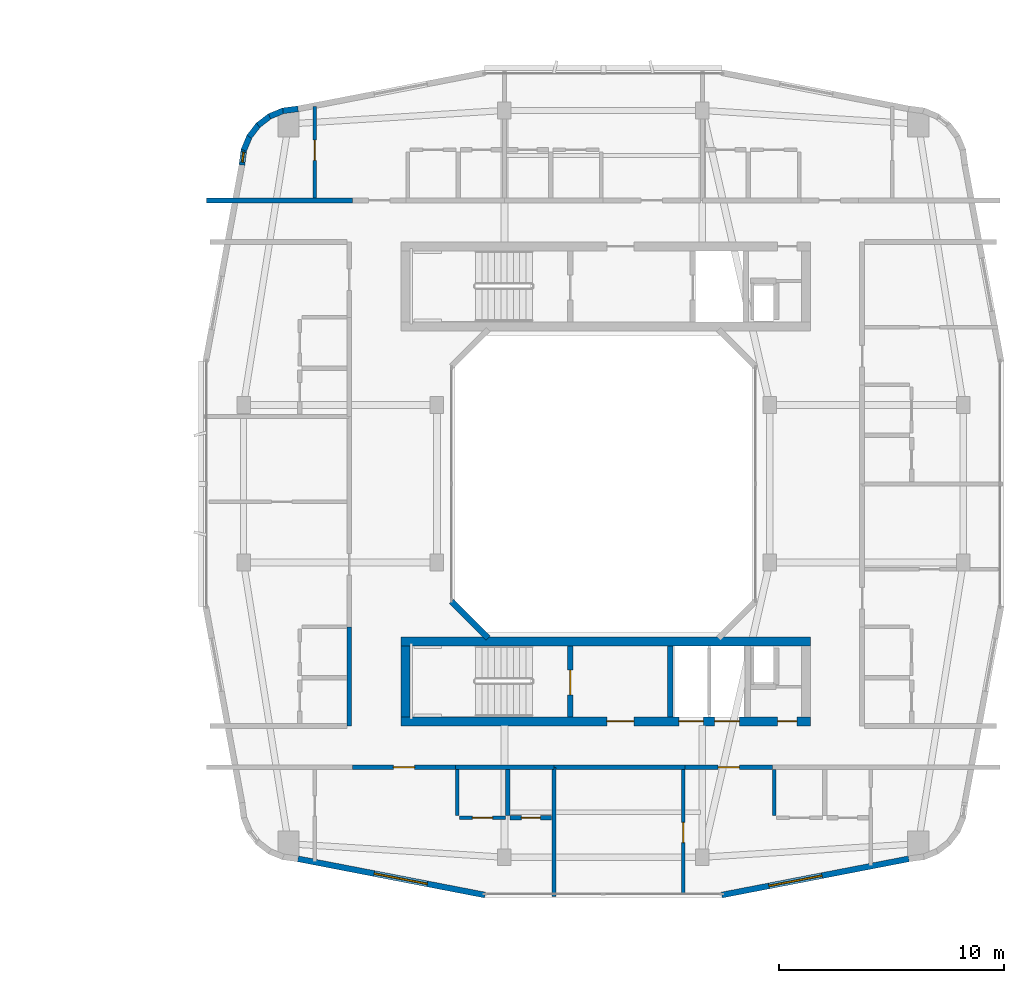
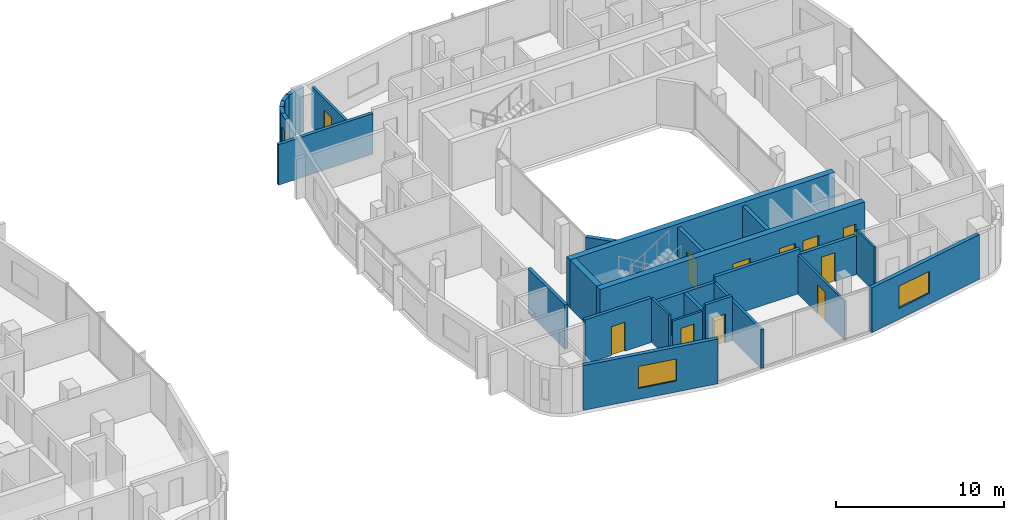
# One storey, part 17 of 26: 28 walls, 11 doors, 3 windows, 14 openings.
"""IFC4 building model written with IfcOpenShell, lengths in metres."""

from ifc_helpers import new_model, si_unit, derived_unit, direction, frame, frame_2d, origin, place, context, subcontext, project, spatial, rectangle, extrude, material, layer, layer_set, type_object, element, fill, save


model = new_model("IFC4")

# Units and contexts
model_context = context("Model", 3, precision=1e-05, world=origin(), true_north=direction((0.0, 1.0)))
body_context = subcontext(model_context, "Body", "Model", "MODEL_VIEW")
ifc_project = project(units=[si_unit("LENGTHUNIT", "METRE"), si_unit("AREAUNIT", "SQUARE_METRE"), si_unit("VOLUMEUNIT", "CUBIC_METRE"), si_unit("PLANEANGLEUNIT", "RADIAN"), si_unit("MASSUNIT", "GRAM", prefix="KILO"), derived_unit("THERMALTRANSMITTANCEUNIT", [(si_unit("POWERUNIT", "WATT"), 1), (si_unit("LENGTHUNIT", "METRE"), -2), (si_unit("THERMODYNAMICTEMPERATUREUNIT", "KELVIN"), -1)])], contexts=[model_context])

# Site, building, storey
site_placement = place(None, origin())
site = spatial("IfcSite", under=ifc_project, at=site_placement, CompositionType="ELEMENT")
building_placement = place(site_placement, origin())
building = spatial("IfcBuilding", under=site, at=building_placement, Name="Kivonza Crest Hotel", CompositionType="ELEMENT")
storey_placement = place(building_placement, frame((0.0, 0.0, 105.5)))
storey = spatial("IfcBuildingStorey", under=building, at=storey_placement, Name="L28", CompositionType="ELEMENT", Elevation=105.5)

# Walls
ifc_material_1 = material(Name="High-density acoustic masonry inter-tenancy wall", Category="masonry")
ifc_layer_1 = layer(ifc_material_1, 0.179931640625)
ifc_layer_set_1 = layer_set([ifc_layer_1], Name="High-density acoustic masonry inter-tenancy wall")
wall_type_1 = type_object("IfcWallType", Name="WL-ACOU-180", PredefinedType="SOLIDWALL", material=ifc_layer_set_1)
wall_1_placement = place(storey_placement, frame((74.800048828125, 6.659912109375, 0.0), z_axis=(0.0, 0.0, 1.0), x_axis=(0.0, 1.0, 0.0)))
element("IfcWall", 1, at=wall_1_placement, inside=storey, type_object=wall_type_1, Name="L28 interior partition WA-L28-T2S-DIV1", PredefinedType="SOLIDWALL", context=body_context, shape_type="SweptSolid", body=[
    extrude(rectangle(XDim=5.739990234375, YDim=0.179931640625, at=frame_2d((2.8701171875, 0.0))), origin(), (0.0, 0.0, 1.0), 2.824951171875),
])
ifc_material_2 = material(Name="Autoclaved aerated concrete blockwork", Category="masonry")
ifc_layer_2 = layer(ifc_material_2, 0.219970703125)
ifc_layer_set_2 = layer_set([ifc_layer_2], Name="Autoclaved aerated concrete blockwork")
wall_type_2 = type_object("IfcWallType", Name="WL-ACOU-220", PredefinedType="SOLIDWALL", material=ifc_layer_set_2)
wall_2_placement = place(storey_placement, frame((59.360107421875, 37.60009765625, 0.0), z_axis=(0.0, 0.0, 1.0), x_axis=(1.0, 0.0, 0.0)))
element("IfcWall", 2, at=wall_2_placement, inside=storey, type_object=wall_type_2, Name="L28 interior partition WA-L28-A01-LCORR", PredefinedType="SOLIDWALL", context=body_context, shape_type="SweptSolid", body=[
    extrude(rectangle(XDim=6.489990234375, YDim=0.219970703125, at=frame_2d((3.2451171875, 0.0))), origin(), (0.0, 0.0, 1.0), 2.945068359375),
])
wall_3_placement = place(storey_placement, frame((70.419921875, 12.39990234375, 0.0), z_axis=(0.0, 0.0, 1.0), x_axis=(1.0, 0.0, 0.0)))
element("IfcWall", 3, at=wall_3_placement, inside=storey, type_object=wall_type_2, Name="L28 interior partition WA-L28-A04-RCORR", PredefinedType="SOLIDWALL", context=body_context, shape_type="SweptSolid", body=[
    extrude(rectangle(XDim=4.380126953125, YDim=0.219970703125, at=frame_2d((2.18994140625, 0.0))), origin(), (0.0, 0.0, 1.0), 2.824951171875),
])

# Wall, opening, door
wall_4_placement = place(storey_placement, frame((65.85009765625, 12.39990234375, 0.0), z_axis=(0.0, 0.0, 1.0), x_axis=(1.0, 0.0, 0.0)))
wall_4 = element("IfcWall", 4, at=wall_4_placement, inside=storey, type_object=wall_type_2, Name="L28 interior partition WA-L28-A04-MCORR", PredefinedType="SOLIDWALL", context=body_context, shape_type="SweptSolid", body=[
    extrude(rectangle(XDim=4.56982421875, YDim=0.219970703125, at=frame_2d((2.284912109375, 0.0))), origin(), (0.0, 0.0, 1.0), 3.219970703125),
])
opening_1_placement = place(wall_4_placement, frame((1.81005859375, 0.0, 0.0)))
opening_1 = element("IfcOpeningElement", 5, at=opening_1_placement, cuts=wall_4, Name="Opening DU-60", PredefinedType="OPENING", context=body_context, shape_type="SweptSolid", body=[
    extrude(rectangle(XDim=0.949951171875, YDim=2.10009765625, at=frame_2d((0.47509765625, 1.050048828125))), frame((0.0, 0.1201171875, 0.0), z_axis=(0.0, -1.0, 0.0), x_axis=(1.0, 0.0, 0.0)), (0.0, 0.0, 1.0), 0.239990234375),
])
ifc_material_3 = material(Name="Hardwood timber oak", Category="wood")
door_type_1 = type_object("IfcDoorType", Name="DR-UNIT-950", OperationType="NOTDEFINED", PredefinedType="DOOR", material=ifc_material_3)
door_1_placement = place(opening_1_placement, frame((0.949951171875, 0.0, 0.0), z_axis=(0.0, 0.0, 1.0), x_axis=(-1.0, 0.0, 0.0)))
door_1 = element("IfcDoor", 6, at=door_1_placement, inside=storey, type_object=door_type_1, Name="L28 A04 apartment entrance fire door", OperationType="SINGLE_SWING_RIGHT", OverallHeight=2.10009765625, OverallWidth=0.949951171875, PredefinedType="DOOR", context=body_context, shape_type="SweptSolid", body=[
    extrude(rectangle(XDim=0.949951171875, YDim=2.10009765625, at=frame_2d((0.47509765625, 1.050048828125))), frame((0.0, 0.02490234375, 0.0), z_axis=(0.0, -1.0, 0.0), x_axis=(1.0, 0.0, 0.0)), (0.0, 0.0, 1.0), 0.050048828125),
])
fill(opening_1, door_1)

# Wall
wall_5_placement = place(storey_placement, frame((74.800048828125, 12.39990234375, 0.0), z_axis=(0.0, 0.0, 1.0), x_axis=(1.0, 0.0, 0.0)))
element("IfcWall", 7, at=wall_5_placement, inside=storey, type_object=wall_type_2, Name="L28 interior partition WA-L28-A05-LCORR", PredefinedType="SOLIDWALL", context=body_context, shape_type="SweptSolid", body=[
    extrude(rectangle(XDim=5.829833984375, YDim=0.219970703125, at=frame_2d((2.9150390625, 0.0))), origin(), (0.0, 0.0, 1.0), 3.219970703125),
])

# Wall, opening, door
wall_6_placement = place(storey_placement, frame((80.6298828125, 12.39990234375, 0.0), z_axis=(0.0, 0.0, 1.0), x_axis=(1.0, 0.0, 0.0)))
wall_6 = element("IfcWall", 8, at=wall_6_placement, inside=storey, type_object=wall_type_2, Name="L28 interior partition WA-L28-A05-MCORR", PredefinedType="SOLIDWALL", context=body_context, shape_type="SweptSolid", body=[
    extrude(rectangle(XDim=3.880126953125, YDim=0.219970703125, at=frame_2d((1.93994140625, 0.0))), origin(), (0.0, 0.0, 1.0), 2.824951171875),
])
opening_2_placement = place(wall_6_placement, frame((1.465087890625, 0.0, 0.0)))
opening_2 = element("IfcOpeningElement", 9, at=opening_2_placement, cuts=wall_6, Name="Opening DU-60", PredefinedType="OPENING", context=body_context, shape_type="SweptSolid", body=[
    extrude(rectangle(XDim=0.949951171875, YDim=2.10009765625, at=frame_2d((0.47509765625, 1.050048828125))), frame((0.0, 0.1201171875, 0.0), z_axis=(0.0, -1.0, 0.0), x_axis=(1.0, 0.0, 0.0)), (0.0, 0.0, 1.0), 0.239990234375),
])
door_2_placement = place(opening_2_placement, frame((0.949951171875, 0.0, 0.0), z_axis=(0.0, 0.0, 1.0), x_axis=(-1.0, 0.0, 0.0)))
door_2 = element("IfcDoor", 10, at=door_2_placement, inside=storey, type_object=door_type_1, Name="L28 A05 apartment entrance fire door", OperationType="SINGLE_SWING_LEFT", OverallHeight=2.10009765625, OverallWidth=0.949951171875, PredefinedType="DOOR", context=body_context, shape_type="SweptSolid", body=[
    extrude(rectangle(XDim=0.949951171875, YDim=2.10009765625, at=frame_2d((0.47509765625, 1.050048828125))), frame((0.0, 0.02490234375, 0.0), z_axis=(0.0, -1.0, 0.0), x_axis=(1.0, 0.0, 0.0)), (0.0, 0.0, 1.0), 0.050048828125),
])
fill(opening_2, door_2)

# Wall
wall_7_placement = place(storey_placement, frame((65.699951171875, 14.239990234375, 0.0), z_axis=(0.0, 0.0, 1.0), x_axis=(0.0, 1.0, 0.0)))
element("IfcWall", 11, at=wall_7_placement, inside=storey, type_object=wall_type_2, Name="L28 interior partition WA-L28-A06-BCORR", PredefinedType="SOLIDWALL", context=body_context, shape_type="SweptSolid", body=[
    extrude(rectangle(XDim=4.39990234375, YDim=0.219970703125, at=frame_2d((2.199951171875, 0.0))), origin(), (0.0, 0.0, 1.0), 3.219970703125),
])

# Wall, openings, doors
ifc_material_4 = material(Name="Concrete C50/60", Category="concrete")
ifc_layer_3 = layer(ifc_material_4, 0.39990234375)
ifc_layer_set_3 = layer_set([ifc_layer_3], Name="Concrete C50/60")
wall_type_3 = type_object("IfcWallType", Name="WL-CORE-400", PredefinedType="SHEAR", material=ifc_layer_set_3)
wall_8_placement = place(storey_placement, frame((68.0, 14.43994140625, 0.0), z_axis=(0.0, 0.0, 1.0), x_axis=(1.0, 0.0, 0.0)))
wall_8 = element("IfcWall", 12, at=wall_8_placement, inside=storey, type_object=wall_type_3, Name="Core wall T2-S South L28", PredefinedType="SHEAR", context=body_context, shape_type="SweptSolid", body=[
    extrude(rectangle(XDim=18.199951171875, YDim=0.39990234375, at=frame_2d((9.10009765625, 0.0))), origin(), (0.0, 0.0, 1.0), 3.5),
])
opening_3_placement = place(wall_8_placement, frame((9.14990234375, 0.0, 0.0)))
opening_3 = element("IfcOpeningElement", 13, at=opening_3_placement, cuts=wall_8, Name="Opening DF-60", PredefinedType="OPENING", context=body_context, shape_type="SweptSolid", body=[
    extrude(rectangle(XDim=1.199951171875, YDim=2.14990234375, at=frame_2d((0.60009765625, 1.074951171875))), frame((0.0, 0.2099609375, 0.0), z_axis=(0.0, -1.0, 0.0), x_axis=(1.0, 0.0, 0.0)), (0.0, 0.0, 1.0), 0.419921875),
])
opening_4_placement = place(wall_8_placement, frame((16.75, 0.0, 0.0)))
opening_4 = element("IfcOpeningElement", 14, at=opening_4_placement, cuts=wall_8, Name="Opening DF-60R", PredefinedType="OPENING", context=body_context, shape_type="SweptSolid", body=[
    extrude(rectangle(XDim=0.85009765625, YDim=2.10009765625, at=frame_2d((0.425048828125, 1.050048828125))), frame((0.0, 0.2099609375, 0.0), z_axis=(0.0, -1.0, 0.0), x_axis=(1.0, 0.0, 0.0)), (0.0, 0.0, 1.0), 0.419921875),
])
opening_5_placement = place(wall_8_placement, frame((12.35009765625, 0.0, 0.0)))
opening_5 = element("IfcOpeningElement", 15, at=opening_5_placement, cuts=wall_8, Name="Opening LD-120", PredefinedType="OPENING", context=body_context, shape_type="SweptSolid", body=[
    extrude(rectangle(XDim=1.10009765625, YDim=2.14990234375, at=frame_2d((0.550048828125, 1.074951171875))), frame((0.0, 0.2099609375, 0.0), z_axis=(0.0, -1.0, 0.0), x_axis=(1.0, 0.0, 0.0)), (0.0, 0.0, 1.0), 0.419921875),
])
opening_6_placement = place(wall_8_placement, frame((13.949951171875, 0.0, 0.0)))
opening_6 = element("IfcOpeningElement", 16, at=opening_6_placement, cuts=wall_8, Name="Opening LD-120", PredefinedType="OPENING", context=body_context, shape_type="SweptSolid", body=[
    extrude(rectangle(XDim=1.10009765625, YDim=2.14990234375, at=frame_2d((0.550048828125, 1.074951171875))), frame((0.0, 0.2099609375, 0.0), z_axis=(0.0, -1.0, 0.0), x_axis=(1.0, 0.0, 0.0)), (0.0, 0.0, 1.0), 0.419921875),
])
door_type_2 = type_object("IfcDoorType", Name="DR-FD60-1200", OperationType="NOTDEFINED", PredefinedType="DOOR", material=ifc_material_3)
door_3_placement = place(opening_3_placement, frame((1.199951171875, 0.0, 0.0), z_axis=(0.0, 0.0, 1.0), x_axis=(-1.0, 0.0, 0.0)))
door_3 = element("IfcDoor", 17, at=door_3_placement, inside=storey, type_object=door_type_2, Name="L28 T2-S firefighting lobby fire door", OperationType="SINGLE_SWING_LEFT", OverallHeight=2.14990234375, OverallWidth=1.199951171875, PredefinedType="DOOR", context=body_context, shape_type="SweptSolid", body=[
    extrude(rectangle(XDim=1.199951171875, YDim=2.14990234375, at=frame_2d((0.60009765625, 1.074951171875))), frame((0.0, 0.02490234375, 0.0), z_axis=(0.0, -1.0, 0.0), x_axis=(1.0, 0.0, 0.0)), (0.0, 0.0, 1.0), 0.050048828125),
])
fill(opening_3, door_3)
door_type_3 = type_object("IfcDoorType", Name="DR-FD60-850", OperationType="NOTDEFINED", PredefinedType="DOOR", material=ifc_material_3)
door_4_placement = place(opening_4_placement, frame((0.85009765625, 0.0, 0.0), z_axis=(0.0, 0.0, 1.0), x_axis=(-1.0, 0.0, 0.0)))
door_4 = element("IfcDoor", 18, at=door_4_placement, inside=storey, type_object=door_type_3, Name="L28 T2-S core room door", OperationType="SINGLE_SWING_RIGHT", OverallHeight=2.10009765625, OverallWidth=0.85009765625, PredefinedType="DOOR", context=body_context, shape_type="SweptSolid", body=[
    extrude(rectangle(XDim=0.85009765625, YDim=2.10009765625, at=frame_2d((0.425048828125, 1.050048828125))), frame((0.0, 0.02490234375, 0.0), z_axis=(0.0, -1.0, 0.0), x_axis=(1.0, 0.0, 0.0)), (0.0, 0.0, 1.0), 0.050048828125),
])
fill(opening_4, door_4)
ifc_material_5 = material(Name="Stainless steel", Category="steel")
door_type_4 = type_object("IfcDoorType", Name="DR-LD120-1100", OperationType="NOTDEFINED", PredefinedType="DOOR", material=ifc_material_5)
door_5_placement = place(opening_5_placement, frame((1.10009765625, 0.0, 0.0), z_axis=(0.0, 0.0, 1.0), x_axis=(-1.0, 0.0, 0.0)))
door_5 = element("IfcDoor", 19, at=door_5_placement, inside=storey, type_object=door_type_4, Name="L28 PL-T2-1 passenger lift sliding landing door", OperationType="DOUBLE_DOOR_SLIDING", OverallHeight=2.14990234375, OverallWidth=1.10009765625, PredefinedType="DOOR", context=body_context, shape_type="SweptSolid", body=[
    extrude(rectangle(XDim=1.10009765625, YDim=2.14990234375, at=frame_2d((0.550048828125, 1.074951171875))), frame((0.0, 0.02490234375, 0.0), z_axis=(0.0, -1.0, 0.0), x_axis=(1.0, 0.0, 0.0)), (0.0, 0.0, 1.0), 0.050048828125),
])
fill(opening_5, door_5)
door_6_placement = place(opening_6_placement, frame((1.10009765625, 0.0, 0.0), z_axis=(0.0, 0.0, 1.0), x_axis=(-1.0, 0.0, 0.0)))
door_6 = element("IfcDoor", 20, at=door_6_placement, inside=storey, type_object=door_type_4, Name="L28 PL-T2-2 passenger lift sliding landing door", OperationType="DOUBLE_DOOR_SLIDING", OverallHeight=2.14990234375, OverallWidth=1.10009765625, PredefinedType="DOOR", context=body_context, shape_type="SweptSolid", body=[
    extrude(rectangle(XDim=1.10009765625, YDim=2.14990234375, at=frame_2d((0.550048828125, 1.074951171875))), frame((0.0, 0.02490234375, 0.0), z_axis=(0.0, -1.0, 0.0), x_axis=(1.0, 0.0, 0.0)), (0.0, 0.0, 1.0), 0.050048828125),
])
fill(opening_6, door_6)

# Walls
wall_9_placement = place(storey_placement, frame((68.0, 18.0, 0.0), z_axis=(0.0, 0.0, 1.0), x_axis=(1.0, 0.0, 0.0)))
element("IfcWall", 21, at=wall_9_placement, inside=storey, type_object=wall_type_3, Name="Core wall T2-S North L28", PredefinedType="SHEAR", context=body_context, shape_type="SweptSolid", body=[
    extrude(rectangle(XDim=18.199951171875, YDim=0.39990234375, at=frame_2d((9.10009765625, 0.0))), origin(), (0.0, 0.0, 1.0), 3.5),
])
wall_10_placement = place(storey_placement, frame((68.199951171875, 14.639892578125, 0.0), z_axis=(0.0, 0.0, 1.0), x_axis=(0.0, 1.0, 0.0)))
element("IfcWall", 22, at=wall_10_placement, inside=storey, type_object=wall_type_3, Name="Core wall T2-S West L28", PredefinedType="SHEAR", context=body_context, shape_type="SweptSolid", body=[
    extrude(rectangle(XDim=3.16015625, YDim=0.39990234375, at=frame_2d((1.580078125, 0.0))), origin(), (0.0, 0.0, 1.0), 3.5),
])

# Wall, opening, window
ifc_material_6 = material(Name="Precast concrete C40/50", Category="concrete")
ifc_layer_4 = layer(ifc_material_6, 0.260009765625)
ifc_layer_set_4 = layer_set([ifc_layer_4], Name="Precast concrete C40/50")
wall_type_4 = type_object("IfcWallType", Name="WL-EXT-260", PredefinedType="STANDARD", material=ifc_layer_set_4)
wall_11_placement = place(storey_placement, frame((63.4169921875, 8.330078125, 0.0), z_axis=(0.0, 0.0, 1.0), x_axis=(0.981750199588, -0.190175039396, 0.0)))
wall_11 = element("IfcWall", 23, at=wall_11_placement, inside=storey, type_object=wall_type_4, Name="L28 T2 exterior insulated wall 7", PredefinedType="STANDARD", context=body_context, shape_type="SweptSolid", body=[
    extrude(rectangle(XDim=8.476806640625, YDim=0.260009765625, at=frame_2d((4.23828125, 0.0))), origin(), (0.0, 0.0, 1.0), 3.25),
])
opening_7_placement = place(wall_11_placement, frame((3.4541015625, 0.0, 0.800048828125)))
opening_7 = element("IfcOpeningElement", 24, at=opening_7_placement, cuts=wall_11, Name="Opening WN-05", PredefinedType="OPENING", context=body_context, shape_type="SweptSolid", body=[
    extrude(rectangle(XDim=2.39990234375, YDim=1.60009765625, at=frame_2d((1.199951171875, 0.800048828125))), frame((0.0, 0.14013671875, 0.0), z_axis=(0.0, -1.0, 0.0), x_axis=(1.0, 0.0, 0.0)), (0.0, 0.0, 1.0), 0.280029296875),
])
ifc_material_7 = material(Name="Thermally broken bronze aluminium and low-E double glazing", Category="aluminium")
window_type_1 = type_object("IfcWindowType", Name="WN-240x160", PartitioningType="TRIPLE_PANEL_VERTICAL", PredefinedType="WINDOW", material=ifc_material_7)
window_1_placement = place(opening_7_placement, origin())
window_1 = element("IfcWindow", 25, at=window_1_placement, inside=storey, type_object=window_type_1, Name="L28 T2 facade window 7", OverallHeight=1.60009765625, OverallWidth=2.39990234375, PartitioningType="SINGLE_PANEL", PredefinedType="WINDOW", context=body_context, shape_type="SweptSolid", body=[
    extrude(rectangle(XDim=2.39990234375, YDim=1.60009765625, at=frame_2d((1.199951171875, 0.800048828125))), frame((0.0, 0.030029296875, 0.0), z_axis=(0.0, -1.0, 0.0), x_axis=(1.0, 0.0, 0.0)), (0.0, 0.0, 1.0), 0.06005859375),
])
fill(opening_7, window_1)

wall_12_placement = place(storey_placement, frame((82.260986328125, 6.718017578125, 0.0), z_axis=(0.0, 0.0, 1.0), x_axis=(0.981750199588, 0.190175039396, 0.0)))
wall_12 = element("IfcWall", 26, at=wall_12_placement, inside=storey, type_object=wall_type_4, Name="L28 T2 exterior insulated wall 9", PredefinedType="STANDARD", context=body_context, shape_type="SweptSolid", body=[
    extrude(rectangle(XDim=8.476806640625, YDim=0.260009765625, at=frame_2d((4.23828125, 0.0))), origin(), (0.0, 0.0, 1.0), 3.25),
])
opening_8_placement = place(wall_12_placement, frame((2.138916015625, 0.0, 0.800048828125)))
opening_8 = element("IfcOpeningElement", 27, at=opening_8_placement, cuts=wall_12, Name="Opening WN-05", PredefinedType="OPENING", context=body_context, shape_type="SweptSolid", body=[
    extrude(rectangle(XDim=2.39990234375, YDim=1.60009765625, at=frame_2d((1.199951171875, 0.800048828125))), frame((0.0, 0.14013671875, 0.0), z_axis=(0.0, -1.0, 0.0), x_axis=(1.0, 0.0, 0.0)), (0.0, 0.0, 1.0), 0.280029296875),
])
window_2_placement = place(opening_8_placement, origin())
window_2 = element("IfcWindow", 28, at=window_2_placement, inside=storey, type_object=window_type_1, Name="L28 T2 facade window 9", OverallHeight=1.60009765625, OverallWidth=2.39990234375, PartitioningType="SINGLE_PANEL", PredefinedType="WINDOW", context=body_context, shape_type="SweptSolid", body=[
    extrude(rectangle(XDim=2.39990234375, YDim=1.60009765625, at=frame_2d((1.199951171875, 0.800048828125))), frame((0.0, 0.030029296875, 0.0), z_axis=(0.0, -1.0, 0.0), x_axis=(1.0, 0.0, 0.0)), (0.0, 0.0, 1.0), 0.06005859375),
])
fill(opening_8, window_2)

# Walls
wall_13_placement = place(storey_placement, frame((63.425048828125, 41.672119140625, 0.0), z_axis=(0.0, 0.0, 1.0), x_axis=(-0.991300187529, -0.13162043232, 0.0)))
element("IfcWall", 29, at=wall_13_placement, inside=storey, type_object=wall_type_4, Name="L28 T2 exterior insulated wall 28", PredefinedType="STANDARD", context=body_context, shape_type="SweptSolid", body=[
    extrude(rectangle(XDim=0.677001953125, YDim=0.260009765625, at=frame_2d((0.33837890625, 0.0))), origin(), (0.0, 0.0, 1.0), 3.25),
])
for number, where, z_axis, x_axis, name in (
    (30, (62.800048828125, 41.60107421875, 0.0), (0.0, 0.0, 1.0), (-0.924093981904, -0.382165294877, 0.0), "L28 T2 exterior insulated wall 29"),
    (31, (62.198974609375, 41.364013671875, 0.0), (0.0, 0.0, 1.0), (-0.792637067512, -0.609693758543, 0.0), "L28 T2 exterior insulated wall 30"),
    (32, (61.679931640625, 40.97900390625, 0.0), (0.0, 0.0, 1.0), (-0.609472651958, -0.792807092876, 0.0), "L28 T2 exterior insulated wall 31"),
):
    element("IfcWall", number, at=place(storey_placement, frame(where, z_axis=z_axis, x_axis=x_axis)), inside=storey, type_object=wall_type_4, Name=name, PredefinedType="STANDARD", context=body_context, shape_type="SweptSolid", body=[
        extrude(rectangle(XDim=0.69384765625, YDim=0.260009765625, at=frame_2d((0.346923828125, 0.0))), origin(), (0.0, 0.0, 1.0), 3.25),
    ])
wall_14_placement = place(storey_placement, frame((61.278076171875, 40.472900390625, 0.0), z_axis=(0.0, 0.0, 1.0), x_axis=(-0.382289608286, -0.924042561464, 0.0)))
element("IfcWall", 33, at=wall_14_placement, inside=storey, type_object=wall_type_4, Name="L28 T2 exterior insulated wall 32", PredefinedType="STANDARD", context=body_context, shape_type="SweptSolid", body=[
    extrude(rectangle(XDim=0.693603515625, YDim=0.260009765625, at=frame_2d((0.3466796875, 0.0))), origin(), (0.0, 0.0, 1.0), 3.25),
])

# Wall, opening, window
wall_15_placement = place(storey_placement, frame((61.02099609375, 39.881103515625, 0.0), z_axis=(0.0, 0.0, 1.0), x_axis=(-0.130614135366, -0.991433279471, 0.0)))
wall_15 = element("IfcWall", 34, at=wall_15_placement, inside=storey, type_object=wall_type_4, Name="L28 T2 exterior insulated wall 33", PredefinedType="STANDARD", context=body_context, shape_type="SweptSolid", body=[
    extrude(rectangle(XDim=0.712158203125, YDim=0.260009765625, at=frame_2d((0.35595703125, 0.0))), origin(), (0.0, 0.0, 1.0), 3.25),
])
opening_9_placement = place(wall_15_placement, frame((0.131103515625, 0.0, 0.85009765625)))
opening_9 = element("IfcOpeningElement", 35, at=opening_9_placement, cuts=wall_15, Name="Opening WN-11", PredefinedType="OPENING", context=body_context, shape_type="SweptSolid", body=[
    extrude(rectangle(XDim=0.449951171875, YDim=1.5, at=frame_2d((0.22509765625, 0.75))), frame((0.0, 0.14013671875, 0.0), z_axis=(0.0, -1.0, 0.0), x_axis=(1.0, 0.0, 0.0)), (0.0, 0.0, 1.0), 0.280029296875),
])
window_type_2 = type_object("IfcWindowType", Name="WN-045x150", PartitioningType="SINGLE_PANEL", PredefinedType="WINDOW", material=ifc_material_7)
window_3_placement = place(opening_9_placement, origin())
window_3 = element("IfcWindow", 36, at=window_3_placement, inside=storey, type_object=window_type_2, Name="L28 corner vision window 3", OverallHeight=1.5, OverallWidth=0.449951171875, PartitioningType="SINGLE_PANEL", PredefinedType="WINDOW", context=body_context, shape_type="SweptSolid", body=[
    extrude(rectangle(XDim=0.449951171875, YDim=1.5, at=frame_2d((0.22509765625, 0.75))), frame((0.0, 0.030029296875, 0.0), z_axis=(0.0, -1.0, 0.0), x_axis=(1.0, 0.0, 0.0)), (0.0, 0.0, 1.0), 0.06005859375),
])
fill(opening_9, window_3)

# Wall
wall_16_placement = place(storey_placement, frame((70.243896484375, 19.77197265625, 0.0), z_axis=(0.0, 0.0, 1.0), x_axis=(0.707106781187, -0.707106781187, 0.0)))
element("IfcWall", 37, at=wall_16_placement, inside=storey, type_object=wall_type_4, Name="L28 T2 light-well exterior wall 8", PredefinedType="STANDARD", context=body_context, shape_type="SweptSolid", body=[
    extrude(rectangle(XDim=2.310791015625, YDim=0.260009765625, at=frame_2d((1.1552734375, 0.0))), origin(), (0.0, 0.0, 1.0), 3.25),
])

# Wall, opening, door
ifc_material_8 = material(Name="Twin-stud acoustic gypsum board partition", Category="gypsum")
ifc_layer_5 = layer(ifc_material_8, 0.14990234375)
ifc_layer_set_5 = layer_set([ifc_layer_5], Name="Twin-stud acoustic gypsum board partition")
wall_type_5 = type_object("IfcWallType", Name="WL-PART-150", PredefinedType="PARTITIONING", material=ifc_layer_set_5)
wall_17_placement = place(storey_placement, frame((64.159912109375, 37.699951171875, 0.0), z_axis=(0.0, 0.0, 1.0), x_axis=(0.0, 1.0, 0.0)))
wall_17 = element("IfcWall", 38, at=wall_17_placement, inside=storey, type_object=wall_type_5, Name="L28 interior partition WP-L28-A01-BDW1", PredefinedType="PARTITIONING", context=body_context, shape_type="SweptSolid", body=[
    extrude(rectangle(XDim=4.0859375, YDim=0.14990234375, at=frame_2d((2.04296875, 0.0))), origin(), (0.0, 0.0, 1.0), 2.945068359375),
])
opening_10_placement = place(wall_17_placement, frame((1.679931640625, 0.0, 0.0)))
opening_10 = element("IfcOpeningElement", 39, at=opening_10_placement, cuts=wall_17, Name="Opening DI-90", PredefinedType="OPENING", context=body_context, shape_type="SweptSolid", body=[
    extrude(rectangle(XDim=0.89990234375, YDim=2.10009765625, at=frame_2d((0.449951171875, 1.050048828125))), frame((0.0, 0.0849609375, 0.0), z_axis=(0.0, -1.0, 0.0), x_axis=(1.0, 0.0, 0.0)), (0.0, 0.0, 1.0), 0.169921875),
])
door_type_5 = type_object("IfcDoorType", Name="DR-INT-900", OperationType="NOTDEFINED", PredefinedType="DOOR", material=ifc_material_3)
door_7_placement = place(opening_10_placement, origin())
door_7 = element("IfcDoor", 40, at=door_7_placement, inside=storey, type_object=door_type_5, Name="L28 A01 bedroom 1 door", OperationType="SINGLE_SWING_RIGHT", OverallHeight=2.10009765625, OverallWidth=0.89990234375, PredefinedType="DOOR", context=body_context, shape_type="SweptSolid", body=[
    extrude(rectangle(XDim=0.89990234375, YDim=2.10009765625, at=frame_2d((0.449951171875, 1.050048828125))), frame((0.0, 0.02490234375, 0.0), z_axis=(0.0, -1.0, 0.0), x_axis=(1.0, 0.0, 0.0)), (0.0, 0.0, 1.0), 0.050048828125),
])
fill(opening_10, door_7)

# Wall
wall_18_placement = place(storey_placement, frame((70.5, 10.25, 0.0), z_axis=(0.0, 0.0, 1.0), x_axis=(0.0, 1.0, 0.0)))
element("IfcWall", 41, at=wall_18_placement, inside=storey, type_object=wall_type_5, Name="L28 interior partition WP-L28-A04-KF", PredefinedType="PARTITIONING", context=body_context, shape_type="SweptSolid", body=[
    extrude(rectangle(XDim=2.050048828125, YDim=0.14990234375, at=frame_2d((1.02490234375, 0.0))), origin(), (0.0, 0.0, 1.0), 3.219970703125),
])

# Wall, opening, door
wall_19_placement = place(storey_placement, frame((70.60009765625, 10.14990234375, 0.0), z_axis=(0.0, 0.0, 1.0), x_axis=(1.0, 0.0, 0.0)))
wall_19 = element("IfcWall", 42, at=wall_19_placement, inside=storey, type_object=wall_type_5, Name="L28 interior partition WP-L28-A04-KSVC", PredefinedType="PARTITIONING", context=body_context, shape_type="SweptSolid", body=[
    extrude(rectangle(XDim=2.0498046875, YDim=0.14990234375, at=frame_2d((1.02490234375, 0.0))), origin(), (0.0, 0.0, 1.0), 2.824951171875),
])
opening_11_placement = place(wall_19_placement, frame((0.574951171875, 0.0, 0.0)))
opening_11 = element("IfcOpeningElement", 43, at=opening_11_placement, cuts=wall_19, Name="Opening DI-90", PredefinedType="OPENING", context=body_context, shape_type="SweptSolid", body=[
    extrude(rectangle(XDim=0.89990234375, YDim=2.10009765625, at=frame_2d((0.449951171875, 1.050048828125))), frame((0.0, 0.0849609375, 0.0), z_axis=(0.0, -1.0, 0.0), x_axis=(1.0, 0.0, 0.0)), (0.0, 0.0, 1.0), 0.169921875),
])
door_8_placement = place(opening_11_placement, frame((0.89990234375, 0.0, 0.0), z_axis=(0.0, 0.0, 1.0), x_axis=(-1.0, 0.0, 0.0)))
door_8 = element("IfcDoor", 44, at=door_8_placement, inside=storey, type_object=door_type_5, Name="L28 A04 apartment kitchen door", OperationType="SINGLE_SWING_RIGHT", OverallHeight=2.10009765625, OverallWidth=0.89990234375, PredefinedType="DOOR", context=body_context, shape_type="SweptSolid", body=[
    extrude(rectangle(XDim=0.89990234375, YDim=2.10009765625, at=frame_2d((0.449951171875, 1.050048828125))), frame((0.0, 0.02490234375, 0.0), z_axis=(0.0, -1.0, 0.0), x_axis=(1.0, 0.0, 0.0)), (0.0, 0.0, 1.0), 0.050048828125),
])
fill(opening_11, door_8)

wall_20_placement = place(storey_placement, frame((80.550048828125, 6.760009765625, 0.0), z_axis=(0.0, 0.0, 1.0), x_axis=(0.0, 1.0, 0.0)))
wall_20 = element("IfcWall", 45, at=wall_20_placement, inside=storey, type_object=wall_type_5, Name="L28 interior partition WP-L28-A05-BDW1", PredefinedType="PARTITIONING", context=body_context, shape_type="SweptSolid", body=[
    extrude(rectangle(XDim=5.5400390625, YDim=0.14990234375, at=frame_2d((2.77001953125, 0.0))), origin(), (0.0, 0.0, 1.0), 2.824951171875),
])
opening_12_placement = place(wall_20_placement, frame((2.2900390625, 0.0, 0.0)))
opening_12 = element("IfcOpeningElement", 46, at=opening_12_placement, cuts=wall_20, Name="Opening DI-90", PredefinedType="OPENING", context=body_context, shape_type="SweptSolid", body=[
    extrude(rectangle(XDim=0.89990234375, YDim=2.10009765625, at=frame_2d((0.449951171875, 1.050048828125))), frame((0.0, 0.0849609375, 0.0), z_axis=(0.0, -1.0, 0.0), x_axis=(1.0, 0.0, 0.0)), (0.0, 0.0, 1.0), 0.169921875),
])
door_9_placement = place(opening_12_placement, origin())
door_9 = element("IfcDoor", 47, at=door_9_placement, inside=storey, type_object=door_type_5, Name="L28 A05 bedroom 1 door", OperationType="SINGLE_SWING_RIGHT", OverallHeight=2.10009765625, OverallWidth=0.89990234375, PredefinedType="DOOR", context=body_context, shape_type="SweptSolid", body=[
    extrude(rectangle(XDim=0.89990234375, YDim=2.10009765625, at=frame_2d((0.449951171875, 1.050048828125))), frame((0.0, 0.02490234375, 0.0), z_axis=(0.0, -1.0, 0.0), x_axis=(1.0, 0.0, 0.0)), (0.0, 0.0, 1.0), 0.050048828125),
])
fill(opening_12, door_9)

# Walls
wall_21_placement = place(storey_placement, frame((84.590087890625, 10.25, 0.0), z_axis=(0.0, 0.0, 1.0), x_axis=(0.0, 1.0, 0.0)))
element("IfcWall", 48, at=wall_21_placement, inside=storey, type_object=wall_type_5, Name="L28 interior partition WP-L28-A05-KF", PredefinedType="PARTITIONING", context=body_context, shape_type="SweptSolid", body=[
    extrude(rectangle(XDim=2.050048828125, YDim=0.14990234375, at=frame_2d((1.02490234375, 0.0))), origin(), (0.0, 0.0, 1.0), 3.219970703125),
])
ifc_material_9 = material(Name="Moisture-resistant plumbing chase partition wall", Category="gypsum")
ifc_layer_6 = layer(ifc_material_9, 0.199951171875)
ifc_layer_set_6 = layer_set([ifc_layer_6], Name="Moisture-resistant plumbing chase partition wall")
wall_type_6 = type_object("IfcWallType", Name="WL-PLUMB-200", PredefinedType="PLUMBINGWALL", material=ifc_layer_set_6)
wall_22_placement = place(storey_placement, frame((72.75, 10.25, 0.0), z_axis=(0.0, 0.0, 1.0), x_axis=(0.0, 1.0, 0.0)))
element("IfcWall", 49, at=wall_22_placement, inside=storey, type_object=wall_type_6, Name="L28 interior partition WW-L28-A04-BK", PredefinedType="PLUMBINGWALL", context=body_context, shape_type="SweptSolid", body=[
    extrude(rectangle(XDim=2.050048828125, YDim=0.199951171875, at=frame_2d((1.02490234375, 0.0))), origin(), (0.0, 0.0, 1.0), 2.824951171875),
])

# Wall, opening, door
wall_23_placement = place(storey_placement, frame((72.85009765625, 10.14990234375, 0.0), z_axis=(0.0, 0.0, 1.0), x_axis=(1.0, 0.0, 0.0)))
wall_23 = element("IfcWall", 50, at=wall_23_placement, inside=storey, type_object=wall_type_6, Name="L28 interior partition WW-L28-A04-BSVC", PredefinedType="PLUMBINGWALL", context=body_context, shape_type="SweptSolid", body=[
    extrude(rectangle(XDim=1.849853515625, YDim=0.199951171875, at=frame_2d((0.9248046875, 0.0))), origin(), (0.0, 0.0, 1.0), 3.219970703125),
])
opening_13_placement = place(wall_23_placement, frame((0.5, 0.0, 0.0)))
opening_13 = element("IfcOpeningElement", 51, at=opening_13_placement, cuts=wall_23, Name="Opening DI-85", PredefinedType="OPENING", context=body_context, shape_type="SweptSolid", body=[
    extrude(rectangle(XDim=0.85009765625, YDim=2.10009765625, at=frame_2d((0.425048828125, 1.050048828125))), frame((0.0, 0.10986328125, 0.0), z_axis=(0.0, -1.0, 0.0), x_axis=(1.0, 0.0, 0.0)), (0.0, 0.0, 1.0), 0.219970703125),
])
door_type_6 = type_object("IfcDoorType", Name="DR-INT-850", OperationType="NOTDEFINED", PredefinedType="DOOR", material=ifc_material_3)
door_10_placement = place(opening_13_placement, frame((0.85009765625, 0.0, 0.0), z_axis=(0.0, 0.0, 1.0), x_axis=(-1.0, 0.0, 0.0)))
door_10 = element("IfcDoor", 52, at=door_10_placement, inside=storey, type_object=door_type_6, Name="L28 A04 apartment bathroom door", OperationType="SINGLE_SWING_LEFT", OverallHeight=2.10009765625, OverallWidth=0.85009765625, PredefinedType="DOOR", context=body_context, shape_type="SweptSolid", body=[
    extrude(rectangle(XDim=0.85009765625, YDim=2.10009765625, at=frame_2d((0.425048828125, 1.050048828125))), frame((0.0, 0.02490234375, 0.0), z_axis=(0.0, -1.0, 0.0), x_axis=(1.0, 0.0, 0.0)), (0.0, 0.0, 1.0), 0.050048828125),
])
fill(opening_13, door_10)

ifc_layer_7 = layer(ifc_material_4, 0.25)
ifc_layer_set_7 = layer_set([ifc_layer_7], Name="Concrete C50/60")
wall_type_7 = type_object("IfcWallType", Name="WL-SHAFT-250", PredefinedType="STANDARD", material=ifc_layer_set_7)
wall_24_placement = place(storey_placement, frame((75.52490234375, 14.639892578125, 0.0), z_axis=(0.0, 0.0, 1.0), x_axis=(0.0, 1.0, 0.0)))
wall_24 = element("IfcWall", 53, at=wall_24_placement, inside=storey, type_object=wall_type_7, Name="Core shaft wall T2-S STAIR L28", PredefinedType="STANDARD", context=body_context, shape_type="SweptSolid", body=[
    extrude(rectangle(XDim=3.16015625, YDim=0.25, at=frame_2d((1.580078125, 0.0))), origin(), (0.0, 0.0, 1.0), 3.25),
])
opening_14_placement = place(wall_24_placement, frame((0.97998046875, 0.0, 0.0)))
opening_14 = element("IfcOpeningElement", 54, at=opening_14_placement, cuts=wall_24, Name="Opening DF-120", PredefinedType="OPENING", context=body_context, shape_type="SweptSolid", body=[
    extrude(rectangle(XDim=1.10009765625, YDim=2.14990234375, at=frame_2d((0.550048828125, 1.074951171875))), frame((0.0, 0.135009765625, 0.0), z_axis=(0.0, -1.0, 0.0), x_axis=(1.0, 0.0, 0.0)), (0.0, 0.0, 1.0), 0.27001953125),
])
ifc_material_10 = material(Name="Galvanised steel", Category="steel")
door_type_7 = type_object("IfcDoorType", Name="DR-FD120-1100", OperationType="NOTDEFINED", PredefinedType="DOOR", material=ifc_material_10)
door_11_placement = place(opening_14_placement, frame((1.10009765625, 0.0, 0.0), z_axis=(0.0, 0.0, 1.0), x_axis=(-1.0, 0.0, 0.0)))
door_11 = element("IfcDoor", 55, at=door_11_placement, inside=storey, type_object=door_type_7, Name="L28 T2-S stair fire door", OperationType="SINGLE_SWING_RIGHT", OverallHeight=2.14990234375, OverallWidth=1.10009765625, PredefinedType="DOOR", context=body_context, shape_type="SweptSolid", body=[
    extrude(rectangle(XDim=1.10009765625, YDim=2.14990234375, at=frame_2d((0.550048828125, 1.074951171875))), frame((0.0, 0.02490234375, 0.0), z_axis=(0.0, -1.0, 0.0), x_axis=(1.0, 0.0, 0.0)), (0.0, 0.0, 1.0), 0.050048828125),
])
fill(opening_14, door_11)

# Wall
wall_25_placement = place(storey_placement, frame((79.97509765625, 14.639892578125, 0.0), z_axis=(0.0, 0.0, 1.0), x_axis=(0.0, 1.0, 0.0)))
element("IfcWall", 56, at=wall_25_placement, inside=storey, type_object=wall_type_7, Name="Core shaft wall T2-S BANK-W L28", PredefinedType="STANDARD", context=body_context, shape_type="SweptSolid", body=[
    extrude(rectangle(XDim=3.16015625, YDim=0.25, at=frame_2d((1.580078125, 0.0))), origin(), (0.0, 0.0, 1.0), 3.25),
])

save(model, "model.ifc")
